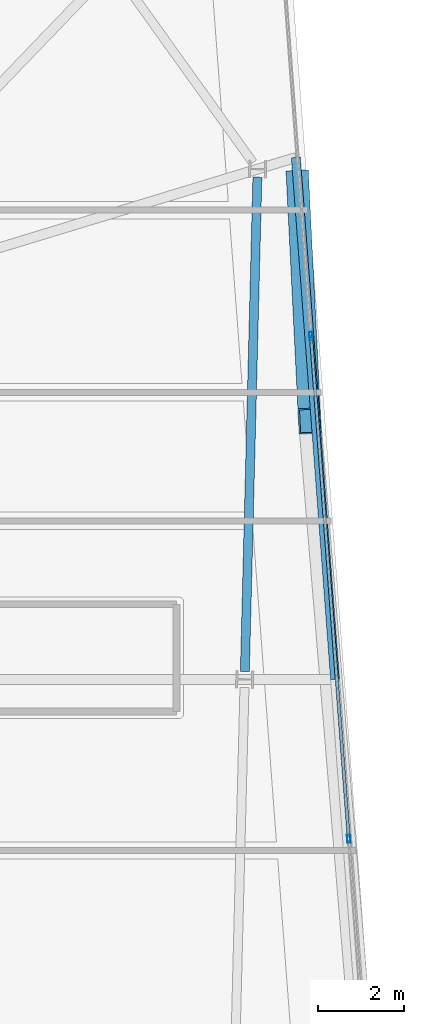
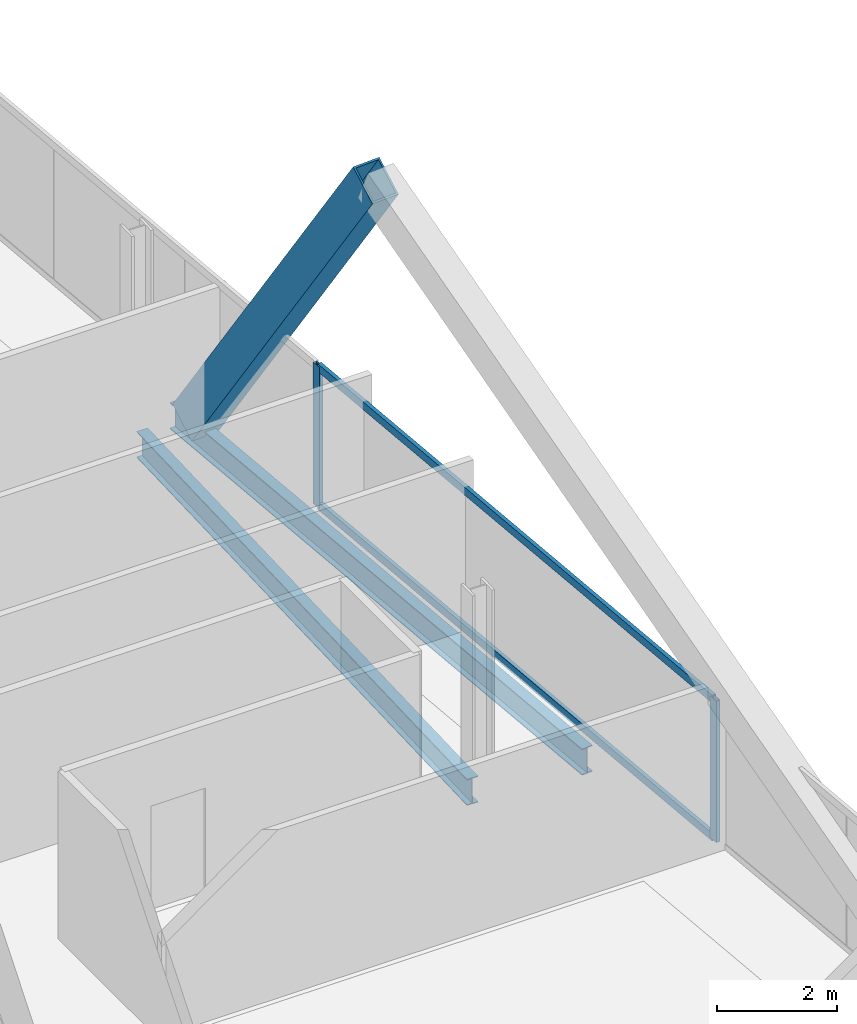
# One storey, part 10 of 23: 5 members, 2 beams, 1 element without a shape of its own.
"""IFC4 building model written with IfcOpenShell, lengths in metres."""

import ifcopenshell
import ifcopenshell.guid

model = None  # the IFC model being written
_history = None  # IfcOwnerHistory: only IFC2X3 demands one
_inside = {}  # id of a spatial element -> (the spatial element, [elements in it])
_under = {}  # id of a project, library or spatial element -> (it, [spatial elements below it])
_declared = {}  # id of a project -> (the project, [libraries it declares])
_typed = {}  # id of a type object -> (the type object, [elements of that type])
_made_of = {}  # id of a material, layer set ... -> (it, [elements and type objects made of it])


def new_model(schema):
    """Start an empty IFC model of exactly this schema.

    Asked for "IFC4X3", IfcOpenShell would pick the latest addendum, in which some entities
    have other attributes; the version numbers below select the first issue.
    IFC2X3 requires an IfcOwnerHistory on every rooted entity: one is made here for all.
    """
    global model, _history
    if schema == "IFC4X3":
        model = ifcopenshell.file(schema_version=(4, 3, 0, 0))
    else:
        model = ifcopenshell.file(schema=schema)
    _inside.clear()
    _under.clear()
    _declared.clear()
    _typed.clear()
    _made_of.clear()
    _history = None
    if model.schema == "IFC2X3":
        org = make("IfcOrganization", Name="unknown")
        user = make(
            "IfcPersonAndOrganization",
            ThePerson=make("IfcPerson", FamilyName="unknown"),
            TheOrganization=org,
        )
        app = make(
            "IfcApplication",
            ApplicationDeveloper=org,
            Version="unknown",
            ApplicationFullName="unknown",
            ApplicationIdentifier="unknown",
        )
        _history = make(
            "IfcOwnerHistory",
            OwningUser=user,
            OwningApplication=app,
            ChangeAction="ADDED",
            CreationDate=0,
        )
    return model


def make(cls, **values):
    """One entity of the class cls with the attributes given. An attribute that is None is left unset."""
    return model.create_entity(
        cls, **{name: value for name, value in values.items() if value is not None}
    )


def rooted(cls, **values):
    """An entity with a GlobalId (a new one), such as an element, a storey or a relation."""
    return make(cls, GlobalId=ifcopenshell.guid.new(), OwnerHistory=_history, **values)


def si_unit(unit_type, name, prefix=None):
    """IfcSIUnit, for example si_unit("LENGTHUNIT", "METRE", prefix="MILLI")."""
    return make("IfcSIUnit", UnitType=unit_type, Prefix=prefix, Name=name)


def assignment(units):
    """IfcUnitAssignment: the units of a project."""
    return None if units is None else make("IfcUnitAssignment", Units=units)


def point(xyz):
    """IfcCartesianPoint."""
    return None if xyz is None else make("IfcCartesianPoint", Coordinates=xyz)


def direction(xyz):
    """IfcDirection."""
    return None if xyz is None else make("IfcDirection", DirectionRatios=xyz)


def frame(location, z_axis=None, x_axis=None):
    """IfcAxis2Placement3D, a coordinate frame: its origin and axes. An axis left out is left unset."""
    return make(
        "IfcAxis2Placement3D",
        Location=point(location),
        Axis=direction(z_axis),
        RefDirection=direction(x_axis),
    )


def frame_2d(location, x_axis=None):
    """IfcAxis2Placement2D, a coordinate frame in the plane: its origin and x axis."""
    return make(
        "IfcAxis2Placement2D", Location=point(location), RefDirection=direction(x_axis)
    )


def origin():
    """The frame at (0, 0, 0) with its axes left unset."""
    return frame((0.0, 0.0, 0.0))


def origin_2d():
    """The frame at (0, 0) in the plane with its x axis left unset."""
    return frame_2d((0.0, 0.0))


def place(relative_to, where):
    """IfcLocalPlacement: puts the frame where relative to a parent placement (None: the world)."""
    return make(
        "IfcLocalPlacement", PlacementRelTo=relative_to, RelativePlacement=where
    )


def context(
    kind, dimensions, precision=None, world=None, true_north=None, identifier=None
):
    """IfcGeometricRepresentationContext, for example the 3D "Model" context."""
    return make(
        "IfcGeometricRepresentationContext",
        ContextIdentifier=identifier,
        ContextType=kind,
        CoordinateSpaceDimension=dimensions,
        Precision=precision,
        WorldCoordinateSystem=world,
        TrueNorth=true_north,
    )


def subcontext(parent, identifier, kind, view, scale=None):
    """IfcGeometricRepresentationSubContext, for example "Body" below "Model"."""
    return make(
        "IfcGeometricRepresentationSubContext",
        ContextIdentifier=identifier,
        ContextType=kind,
        ParentContext=parent,
        TargetScale=scale,
        TargetView=view,
    )


def project(units=None, contexts=None):
    """IfcProject with its units and contexts."""
    return rooted(
        "IfcProject",
        Name="project",
        RepresentationContexts=contexts,
        UnitsInContext=assignment(units),
    )


def spatial(cls, under=None, at=None, **own):
    """A site, building, storey or space (cls), placed at a placement, below another one or the project."""
    s = rooted(cls, ObjectPlacement=at, **own)
    if under is not None:
        _under.setdefault(under.id(), (under, []))[1].append(s)
    return s


def profile(cls, at=None, kind="AREA", **sizes):
    """A parametric profile (cls). Its sizes go by their IFC names, for example OverallWidth=200.0."""
    return make(cls, ProfileType=kind, Position=at, **sizes)


def hollow_rectangle(**sizes):
    """IfcRectangleHollowProfileDef."""
    return profile("IfcRectangleHollowProfileDef", **sizes)


def i_section(**sizes):
    """IfcIShapeProfileDef."""
    return profile("IfcIShapeProfileDef", **sizes)


def extrude(swept, where, along, depth):
    """IfcExtrudedAreaSolid: the profile swept, set in the frame where, extruded along a direction by depth."""
    return make(
        "IfcExtrudedAreaSolid",
        SweptArea=swept,
        Position=where,
        ExtrudedDirection=direction(along),
        Depth=depth,
    )


def shape(context_of_items, identifier, shape_type, items):
    """IfcShapeRepresentation: the items that make up one representation, for example the "Body"."""
    return make(
        "IfcShapeRepresentation",
        ContextOfItems=context_of_items,
        RepresentationIdentifier=identifier,
        RepresentationType=shape_type,
        Items=items,
    )


def material(Name=None, Category=None):
    """IfcMaterial."""
    return make("IfcMaterial", Name=Name, Category=Category)


def material_profile(
    of_material, cross_section, Name=None, Category=None, Priority=None
):
    """IfcMaterialProfile: a cross section and its material."""
    return make(
        "IfcMaterialProfile",
        Name=Name,
        Material=of_material,
        Profile=cross_section,
        Priority=Priority,
        Category=Category,
    )


def profile_set(profiles, Name=None, composite=None):
    """IfcMaterialProfileSet."""
    return make(
        "IfcMaterialProfileSet",
        Name=Name,
        MaterialProfiles=profiles,
        CompositeProfile=composite,
    )


def made_of(thing, what):
    """Note that an element or type object is made of a material, layer set ...; save() writes the relation."""
    if what is not None:
        _made_of.setdefault(what.id(), (what, []))[1].append(thing)
    return thing


def type_object(cls, material=None, **own):
    """A type object (cls), such as IfcWallType, which elements share."""
    return made_of(rooted(cls, **own), material)


def element(
    cls,
    number,
    at=None,
    inside=None,
    cuts=None,
    type_object=None,
    material=None,
    context=None,
    identifier="Body",
    shape_type=None,
    held_by="IfcProductDefinitionShape",
    body=None,
    shapes=None,
    **own,
):
    """One element of the class cls, such as IfcWall. Its Tag is "e" and its number.

    at: its placement. inside: the storey or other place that contains it. cuts: it is an
    opening in that element (IfcRelVoidsElement). A single representation is given by context,
    identifier, shape_type and body (its items); several are given by shapes. held_by: the class
    of the entity that holds the representations. save() writes the other relations.
    """
    e = rooted(cls, Tag="e%d" % number, ObjectPlacement=at, **own)
    if body is not None:
        shapes = [shape(context, identifier, shape_type, body)]
    if shapes is not None:
        e.Representation = make(held_by, Representations=shapes)
    if inside is not None:
        _inside.setdefault(inside.id(), (inside, []))[1].append(e)
    if cuts is not None:
        rooted(
            "IfcRelVoidsElement", RelatingBuildingElement=cuts, RelatedOpeningElement=e
        )
    if type_object is not None:
        _typed.setdefault(type_object.id(), (type_object, []))[1].append(e)
    return made_of(e, material)


def aggregate(whole, parts):
    """IfcRelAggregates: a whole, such as a stair, and the parts it consists of."""
    return rooted("IfcRelAggregates", RelatingObject=whole, RelatedObjects=parts)


def save(model, path):
    """Write the relations noted so far, then the file.

    IfcRelAggregates (storeys below a building ...), IfcRelContainedInSpatialStructure (elements
    in a storey), IfcRelDefinesByType, IfcRelAssociatesMaterial and IfcRelDeclares: one each for
    every whole, place, type object, material and project.
    """
    for whole, parts in _under.values():
        aggregate(whole, parts)
    for where, things in _inside.values():
        rooted(
            "IfcRelContainedInSpatialStructure",
            RelatedElements=things,
            RelatingStructure=where,
        )
    for kind, things in _typed.values():
        rooted("IfcRelDefinesByType", RelatedObjects=things, RelatingType=kind)
    for what, things in _made_of.values():
        rooted("IfcRelAssociatesMaterial", RelatedObjects=things, RelatingMaterial=what)
    for by, libraries in _declared.values():
        rooted("IfcRelDeclares", RelatingContext=by, RelatedDefinitions=libraries)
    model.write(path)


model = new_model("IFC4")

# Units and contexts
model_context = context("Model", 3, precision=1e-05, world=origin(), true_north=direction((0.0, 1.0)))
body_context = subcontext(model_context, "Body", "Model", "MODEL_VIEW")
ifc_project = project(units=[si_unit("LENGTHUNIT", "METRE"), si_unit("AREAUNIT", "SQUARE_METRE"), si_unit("VOLUMEUNIT", "CUBIC_METRE"), si_unit("PLANEANGLEUNIT", "RADIAN"), si_unit("MASSUNIT", "GRAM", prefix="KILO")], contexts=[model_context])

# Site, building, storey
site_placement = place(None, origin())
site = spatial("IfcSite", under=ifc_project, at=site_placement, CompositionType="ELEMENT")
building_placement = place(site_placement, origin())
building = spatial("IfcBuilding", under=site, at=building_placement, Name="Haldenkirk Collegiate Tower", CompositionType="ELEMENT")
storey_placement = place(building_placement, frame((0.0, 0.0, 343.949951171875)))
storey = spatial("IfcBuildingStorey", under=building, at=storey_placement, Name="L87", CompositionType="ELEMENT", Elevation=343.949951171875)

# Beams
ifc_material_1 = material(Name="Steel ASTM A992 Grade 50", Category="steel")
ifc_material_profile_1 = material_profile(ifc_material_1, i_section(OverallWidth=0.2099609375, OverallDepth=0.537109375, WebThickness=0.010986328125, FlangeThickness=0.017333984375, at=origin_2d()), Name="W21X68")
ifc_profile_set_1 = profile_set([ifc_material_profile_1], Name="Steel ASTM A992 Grade 50")
beam_type = type_object("IfcBeamType", Name="BM-SPANDREL-W21X68", PredefinedType="SPANDREL", material=ifc_profile_set_1)
beam_1_placement = place(storey_placement, frame((55.8984375, 25.684326171875, -0.528564453125), z_axis=(0.025302458902, 0.999679841536, 0.0), x_axis=(-0.999679841536, 0.025302458902, 0.0)))
element("IfcBeam", 1, at=beam_1_placement, inside=storey, type_object=beam_type, Name="L87 perimeter spandrel beam 03", PredefinedType="SPANDREL", context=body_context, shape_type="SweptSolid", body=[
    extrude(i_section(OverallWidth=0.2099609375, OverallDepth=0.537109375, WebThickness=0.010986328125, FlangeThickness=0.017333984375, at=origin_2d()), origin(), (0.0, 0.0, 1.0), 11.5400390625),
])
beam_2_placement = place(storey_placement, frame((58.004638671875, 25.496337890625, -0.528564453125), z_axis=(-0.074968272389, 0.997185919543, 0.0), x_axis=(-0.997185919543, -0.074968272389, 0.0)))
element("IfcBeam", 2, at=beam_2_placement, inside=storey, type_object=beam_type, Name="L87 outer facade edge beam 1B", PredefinedType="SPANDREL", context=body_context, shape_type="SweptSolid", body=[
    extrude(i_section(OverallWidth=0.2099609375, OverallDepth=0.537109375, WebThickness=0.010986328125, FlangeThickness=0.017333984375, at=origin_2d()), origin(), (0.0, 0.0, 1.0), 12.21875),
])

# Curtain wall, members
ifc_material_2 = material(Name="Anodised architectural bronze aluminium", Category="aluminium")
curtain_wall_type = type_object("IfcCurtainWallType", Name="CW-SYS2-CONCAVE", PredefinedType="USERDEFINED", material=ifc_material_2)
curtain_wall_placement = place(storey_placement, origin())
curtain_wall = element("IfcCurtainWall", 3, at=curtain_wall_placement, inside=storey, type_object=curtain_wall_type, Name="L87 South concave recessed bronze-anodised curtain wall", ObjectType="UNITISED CURTAIN WALL", PredefinedType="USERDEFINED")
ifc_material_profile_2 = material_profile(ifc_material_2, hollow_rectangle(XDim=0.074951171875, YDim=0.18994140625, WallThickness=0.0048828125, at=origin_2d()), Name="CW-MUL-02")
ifc_profile_set_2 = profile_set([ifc_material_profile_2], Name="Anodised architectural bronze aluminium")
member_type_1 = type_object("IfcMemberType", Name="CW-MUL-02", PredefinedType="MULLION", material=ifc_profile_set_2)
member_1_placement = place(storey_placement, frame((57.442138671875, 33.51220703125, 0.0), z_axis=(0.0, 0.0, 1.0), x_axis=(0.997185231822, 0.074977419512, 0.0)))
member_1 = element("IfcMember", 4, at=member_1_placement, type_object=member_type_1, Name="CW-02 mullion 2", PredefinedType="MULLION", context=body_context, shape_type="SweptSolid", body=[
    extrude(hollow_rectangle(XDim=0.074951171875, YDim=0.18994140625, WallThickness=0.0048828125, at=origin_2d()), origin(), (0.0, 0.0, 1.0), 2.887939453125),
])
member_2_placement = place(storey_placement, frame((58.324462890625, 21.778564453125, 0.0), z_axis=(0.0, 0.0, 1.0), x_axis=(0.997185231822, 0.074977419512, 0.0)))
member_2 = element("IfcMember", 5, at=member_2_placement, type_object=member_type_1, Name="CW-02 mullion 3", PredefinedType="MULLION", context=body_context, shape_type="SweptSolid", body=[
    extrude(hollow_rectangle(XDim=0.074951171875, YDim=0.18994140625, WallThickness=0.0048828125, at=origin_2d()), origin(), (0.0, 0.0, 1.0), 2.887939453125),
])
ifc_material_profile_3 = material_profile(ifc_material_2, hollow_rectangle(XDim=0.074951171875, YDim=0.159912109375, WallThickness=0.0048828125, at=origin_2d()), Name="CW-TRN-02")
ifc_profile_set_3 = profile_set([ifc_material_profile_3], Name="Anodised architectural bronze aluminium")
member_type_2 = type_object("IfcMemberType", Name="CW-TRN-02", PredefinedType="USERDEFINED", material=ifc_profile_set_3)
member_3_placement = place(storey_placement, frame((57.44482421875, 33.474853515625, 0.03759765625), z_axis=(0.074984613652, -0.997184690875, 0.0), x_axis=(0.997184690875, 0.074984613652, 0.0)))
member_3 = element("IfcMember", 6, at=member_3_placement, type_object=member_type_2, Name="CW-02 transom 2.1", ObjectType="TRANSOM", PredefinedType="USERDEFINED", context=body_context, shape_type="SweptSolid", body=[
    extrude(hollow_rectangle(XDim=0.074951171875, YDim=0.159912109375, WallThickness=0.0048828125, at=origin_2d()), origin(), (0.0, 0.0, 1.0), 11.69189453125),
])
member_4_placement = place(storey_placement, frame((57.44482421875, 33.474853515625, 2.8505859375), z_axis=(0.074984613652, -0.997184690875, 0.0), x_axis=(0.997184690875, 0.074984613652, 0.0)))
member_4 = element("IfcMember", 7, at=member_4_placement, type_object=member_type_2, Name="CW-02 transom 2.2", ObjectType="TRANSOM", PredefinedType="USERDEFINED", context=body_context, shape_type="SweptSolid", body=[
    extrude(hollow_rectangle(XDim=0.074951171875, YDim=0.159912109375, WallThickness=0.0048828125, at=origin_2d()), origin(), (0.0, 0.0, 1.0), 11.69189453125),
])
aggregate(curtain_wall, [member_1, member_2, member_3, member_4])

# Member
ifc_material_3 = material(Name="Steel ASTM A572 Grade 50", Category="steel")
ifc_material_profile_4 = material_profile(ifc_material_3, hollow_rectangle(XDim=0.52001953125, YDim=0.719970703125, WallThickness=0.035888671875, at=origin_2d()), Name="BOX720X520X36")
ifc_profile_set_4 = profile_set([ifc_material_profile_4], Name="Steel ASTM A572 Grade 50")
member_type_3 = type_object("IfcMemberType", Name="MBR-MEGABRACE-BOX720X520X36", PredefinedType="BRACE", material=ifc_profile_set_4)
member_5_placement = place(storey_placement, frame((57.133544921875, 37.082275390625, -0.27001953125), z_axis=(0.028233608128, -0.564597667549, 0.824883226385), x_axis=(0.998752010231, 0.049944189455, 0.0)))
element("IfcMember", 8, at=member_5_placement, inside=storey, type_object=member_type_3, Name="Perimeter Mega Brace Z6 L87-L88 SR", PredefinedType="BRACE", context=body_context, shape_type="SweptSolid", body=[
    extrude(hollow_rectangle(XDim=0.52001953125, YDim=0.719970703125, WallThickness=0.035888671875, at=origin_2d()), origin(), (0.0, 0.0, 1.0), 9.831787109375),
])

save(model, "model.ifc")
